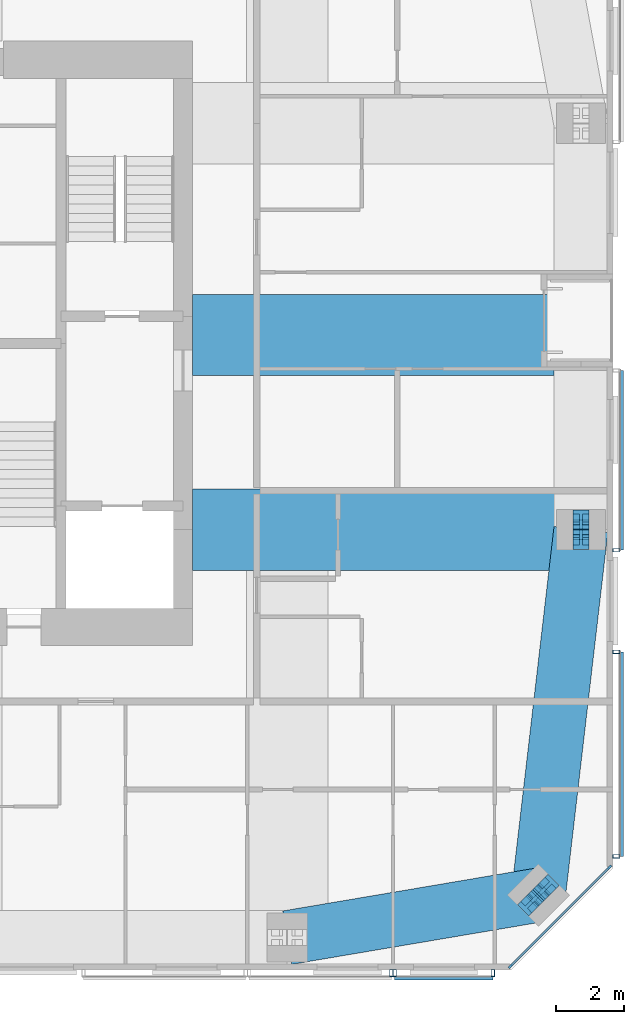
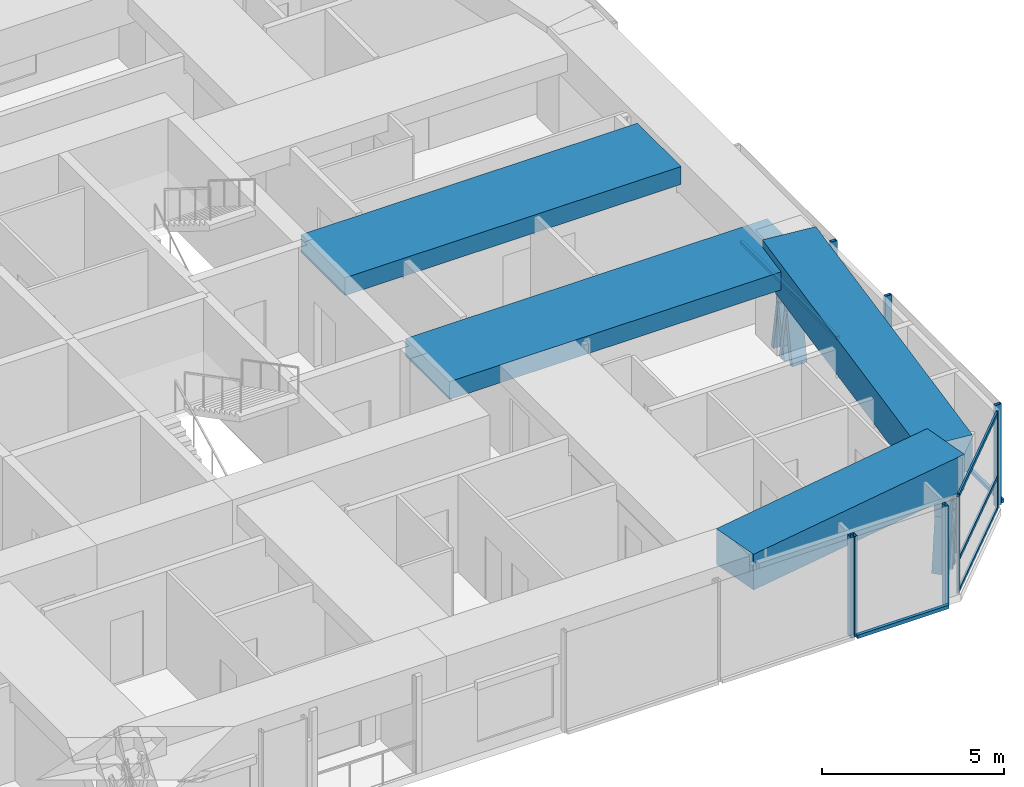
# One storey, part 8 of 20: 22 members, 4 beams, 5 elements without a shape of their own.
"""IFC4 building model written with IfcOpenShell, lengths in metres."""

from ifc_helpers import new_model, si_unit, direction, frame, origin, origin_2d, place, context, subcontext, project, spatial, rectangle, hollow_rectangle, i_section, extrude, material, material_profile, profile_set, type_object, element, aggregate, save


model = new_model("IFC4")

# Units and contexts
model_context = context("Model", 3, precision=1e-05, world=origin(), true_north=direction((0.0, 1.0)))
body_context = subcontext(model_context, "Body", "Model", "MODEL_VIEW")
ifc_project = project(units=[si_unit("LENGTHUNIT", "METRE"), si_unit("AREAUNIT", "SQUARE_METRE"), si_unit("VOLUMEUNIT", "CUBIC_METRE"), si_unit("PLANEANGLEUNIT", "RADIAN"), si_unit("MASSUNIT", "GRAM", prefix="KILO")], contexts=[model_context])

# Site, building, storey
site_placement = place(None, origin())
site = spatial("IfcSite", under=ifc_project, at=site_placement, CompositionType="ELEMENT")
building_placement = place(site_placement, origin())
building = spatial("IfcBuilding", under=site, at=building_placement, Name="Jalousie Tower", CompositionType="ELEMENT")
storey_placement = place(building_placement, frame((0.0, 0.0, 245.949951171875)))
storey = spatial("IfcBuildingStorey", under=building, at=storey_placement, Name="L67", CompositionType="ELEMENT", Elevation=245.949951171875)

# Curtain wall, members
ifc_material_1 = material(Name="Aluminium curtain wall", Category="aluminium")
curtain_wall_type_1 = type_object("IfcCurtainWallType", Name="CORNER WINDOW WALL", PredefinedType="USERDEFINED", material=ifc_material_1)
curtain_wall_1_placement = place(storey_placement, origin())
curtain_wall_1 = element("IfcCurtainWall", 1, at=curtain_wall_1_placement, inside=storey, type_object=curtain_wall_type_1, Name="Corner Window Wall L67 2", ObjectType="CORNER WINDOW WALL", PredefinedType="USERDEFINED")
ifc_material_2 = material(Name="Aluminium mullion", Category="aluminium")
ifc_material_profile_1 = material_profile(ifc_material_2, rectangle(XDim=0.06005859375, YDim=0.14990234375, at=origin_2d()), Name="MULLION 60x150")
ifc_profile_set_1 = profile_set([ifc_material_profile_1], Name="Aluminium mullion")
member_type_1 = type_object("IfcMemberType", Name="CORNER WINDOW WALL MULLION", PredefinedType="MULLION", material=ifc_profile_set_1)
member_1_placement = place(storey_placement, frame((53.469970703125, 0.108642578125, 0.0), z_axis=(0.0, 0.0, 1.0), x_axis=(-0.707106781187, 0.707106781187, 0.0)))
member_1 = element("IfcMember", 2, at=member_1_placement, type_object=member_type_1, Name="CW-C mullion 1", PredefinedType="MULLION", context=body_context, shape_type="SweptSolid", body=[
    extrude(rectangle(XDim=0.06005859375, YDim=0.14990234375, at=origin_2d()), origin(), (0.0, 0.0, 1.0), 3.260009765625),
])
member_2_placement = place(storey_placement, frame((56.391357421875, 3.030029296875, 0.0), z_axis=(0.0, 0.0, 1.0), x_axis=(-0.707106781187, 0.707106781187, 0.0)))
member_2 = element("IfcMember", 3, at=member_2_placement, type_object=member_type_1, Name="CW-C mullion 2", PredefinedType="MULLION", context=body_context, shape_type="SweptSolid", body=[
    extrude(rectangle(XDim=0.06005859375, YDim=0.14990234375, at=origin_2d()), origin(), (0.0, 0.0, 1.0), 3.260009765625),
])
ifc_material_3 = material(Name="Aluminium transom", Category="aluminium")
ifc_material_profile_2 = material_profile(ifc_material_3, rectangle(XDim=0.06005859375, YDim=0.1201171875, at=origin_2d()), Name="TRANSOM 60x120")
ifc_profile_set_2 = profile_set([ifc_material_profile_2], Name="Aluminium transom")
member_type_2 = type_object("IfcMemberType", Name="CORNER WINDOW WALL TRANSOM", PredefinedType="USERDEFINED", material=ifc_profile_set_2)
member_3_placement = place(storey_placement, frame((53.4912109375, 0.1298828125, 0.030029296875), z_axis=(0.707106781187, 0.707106781187, 0.0), x_axis=(-0.707106781187, 0.707106781187, 0.0)))
member_3 = element("IfcMember", 4, at=member_3_placement, type_object=member_type_2, Name="CW-C transom 1.1", ObjectType="TRANSOM", PredefinedType="USERDEFINED", context=body_context, shape_type="SweptSolid", body=[
    extrude(rectangle(XDim=0.06005859375, YDim=0.1201171875, at=origin_2d()), origin(), (0.0, 0.0, 1.0), 4.0712890625),
])
member_4_placement = place(storey_placement, frame((53.4912109375, 0.1298828125, 1.10009765625), z_axis=(0.707106781187, 0.707106781187, 0.0), x_axis=(-0.707106781187, 0.707106781187, 0.0)))
member_4 = element("IfcMember", 5, at=member_4_placement, type_object=member_type_2, Name="CW-C transom 1.2", ObjectType="TRANSOM", PredefinedType="USERDEFINED", context=body_context, shape_type="SweptSolid", body=[
    extrude(rectangle(XDim=0.06005859375, YDim=0.1201171875, at=origin_2d()), origin(), (0.0, 0.0, 1.0), 4.0712890625),
])
member_5_placement = place(storey_placement, frame((53.4912109375, 0.1298828125, 3.22998046875), z_axis=(0.707106781187, 0.707106781187, 0.0), x_axis=(-0.707106781187, 0.707106781187, 0.0)))
member_5 = element("IfcMember", 6, at=member_5_placement, type_object=member_type_2, Name="CW-C transom 1.3", ObjectType="TRANSOM", PredefinedType="USERDEFINED", context=body_context, shape_type="SweptSolid", body=[
    extrude(rectangle(XDim=0.06005859375, YDim=0.1201171875, at=origin_2d()), origin(), (0.0, 0.0, 1.0), 4.0712890625),
])
aggregate(curtain_wall_1, [member_1, member_2, member_3, member_4, member_5])

# Members
ifc_material_4 = material(Name="Steel ASTM A992 Grade 50", Category="steel")
ifc_material_profile_3 = material_profile(ifc_material_4, i_section(OverallWidth=0.472412109375, OverallDepth=0.5791015625, WebThickness=0.094970703125, FlangeThickness=0.1298828125, at=origin_2d()), Name="W14X808")
ifc_profile_set_3 = profile_set([ifc_material_profile_3], Name="Steel ASTM A992 Grade 50")
member_type_3 = type_object("IfcMemberType", Name="PERIMETER BRACE W14X808", PredefinedType="BRACE", material=ifc_profile_set_3)
for number, where, z_axis, x_axis, name in (
    (7, (54.04541015625, 1.959716796875, -0.599853515625), (0.138716051522, 0.138579250682, 0.980588419435), (-0.706757851183, 0.707455539091, 0.0), "Perimeter brace 05 L67 part 1"),
    (8, (54.29296875, 2.20703125, 1.150146484375), (0.138579250682, 0.138716051522, 0.980588419435), (-0.707455539091, 0.706757851183, 0.0), "Perimeter brace 05 L67 part 2"),
    (9, (54.540283203125, 2.45458984375, -0.599853515625), (-0.138579250682, -0.138716051522, 0.980588419435), (0.707455539091, -0.706757851183, 0.0), "Perimeter brace 05 L67 part 3"),
    (10, (54.29296875, 2.20703125, 1.150146484375), (-0.138716051522, -0.138579250682, 0.980588419435), (0.706757851183, -0.707455539091, 0.0), "Perimeter brace 05 L67 part 4"),
):
    element("IfcMember", number, at=place(storey_placement, frame(where, z_axis=z_axis, x_axis=x_axis)), inside=storey, type_object=member_type_3, Name=name, PredefinedType="BRACE", context=body_context, shape_type="SweptSolid", body=[
        extrude(i_section(OverallWidth=0.472412109375, OverallDepth=0.5791015625, WebThickness=0.094970703125, FlangeThickness=0.1298828125, at=origin_2d()), origin(), (0.0, 0.0, 1.0), 1.78466796875),
    ])
for number, where, z_axis, x_axis, name in (
    (11, (55.550048828125, 12.699951171875, -0.599853515625), (0.0, 0.168990530437, 0.98561767467), (-1.0, 0.0, 0.0), "Perimeter brace 06 L67 part 1"),
    (12, (55.550048828125, 13.0, 1.150146484375), (0.0, 0.168990530437, 0.98561767467), (-1.0, 0.0, 0.0), "Perimeter brace 06 L67 part 2"),
    (13, (55.550048828125, 13.300048828125, -0.599853515625), (0.0, -0.168990530437, 0.98561767467), (1.0, 0.0, 0.0), "Perimeter brace 06 L67 part 3"),
    (14, (55.550048828125, 13.0, 1.150146484375), (0.0, -0.168990530437, 0.98561767467), (1.0, 0.0, 0.0), "Perimeter brace 06 L67 part 4"),
):
    element("IfcMember", number, at=place(storey_placement, frame(where, z_axis=z_axis, x_axis=x_axis)), inside=storey, type_object=member_type_3, Name=name, PredefinedType="BRACE", context=body_context, shape_type="SweptSolid", body=[
        extrude(i_section(OverallWidth=0.472412109375, OverallDepth=0.5791015625, WebThickness=0.094970703125, FlangeThickness=0.1298828125, at=origin_2d()), origin(), (0.0, 0.0, 1.0), 1.775634765625),
    ])

# Beams
ifc_material_5 = material(Name="Concrete f'c 40 MPa", Category="concrete")
ifc_material_profile_4 = material_profile(ifc_material_5, rectangle(XDim=1.60009765625, YDim=1.199951171875, at=origin_2d()), Name="RC 1600x1200")
ifc_profile_set_4 = profile_set([ifc_material_profile_4], Name="Concrete f'c 40 MPa")
beam_type_1 = type_object("IfcBeamType", Name="RC BEAM 1600x1200", PredefinedType="BEAM", material=ifc_profile_set_4)
beam_1_placement = place(storey_placement, frame((46.875, 0.949951171875, 2.900146484375), z_axis=(0.985942997446, 0.167082033105, 0.0), x_axis=(-0.167082033105, 0.985942997446, 0.0)))
element("IfcBeam", 15, at=beam_1_placement, inside=storey, type_object=beam_type_1, Name="Edge band beam 04-05 under L68", PredefinedType="BEAM", context=body_context, shape_type="SweptSolid", body=[
    extrude(rectangle(XDim=1.60009765625, YDim=1.199951171875, at=origin_2d()), origin(), (0.0, 0.0, 1.0), 7.523681640625),
])
beam_2_placement = place(storey_placement, frame((54.29296875, 2.20703125, 2.900146484375), z_axis=(0.115690063472, 0.993285361421, 0.0), x_axis=(-0.993285361421, 0.115690063472, 0.0)))
element("IfcBeam", 16, at=beam_2_placement, inside=storey, type_object=beam_type_1, Name="Edge band beam 05-06 under L68", PredefinedType="BEAM", context=body_context, shape_type="SweptSolid", body=[
    extrude(rectangle(XDim=1.60009765625, YDim=1.199951171875, at=origin_2d()), origin(), (0.0, 0.0, 1.0), 10.865966796875),
])
ifc_material_6 = material(Name="Concrete f'c 40 MPa", Category="concrete")
ifc_material_profile_5 = material_profile(ifc_material_6, rectangle(XDim=2.39990234375, YDim=0.60009765625, at=origin_2d()), Name="RC 2400x600")
ifc_profile_set_5 = profile_set([ifc_material_profile_5], Name="Concrete f'c 40 MPa")
beam_type_2 = type_object("IfcBeamType", Name="RC BEAM 2400x600", PredefinedType="BEAM", material=ifc_profile_set_5)
beam_3_placement = place(storey_placement, frame((55.550048828125, 13.0, 2.9599609375), z_axis=(-1.0, 0.0, 0.0), x_axis=(0.0, -1.0, 0.0)))
element("IfcBeam", 17, at=beam_3_placement, inside=storey, type_object=beam_type_2, Name="Floor band beam under L68", PredefinedType="BEAM", context=body_context, shape_type="SweptSolid", body=[
    extrude(rectangle(XDim=2.39990234375, YDim=0.60009765625, at=origin_2d()), origin(), (0.0, 0.0, 1.0), 11.47509765625),
])
beam_4_placement = place(storey_placement, frame((44.074951171875, 18.75, 2.9599609375), z_axis=(1.0, 0.0, 0.0), x_axis=(0.0, 1.0, 0.0)))
element("IfcBeam", 18, at=beam_4_placement, inside=storey, type_object=beam_type_2, Name="Floor band beam under L68", PredefinedType="BEAM", context=body_context, shape_type="SweptSolid", body=[
    extrude(rectangle(XDim=2.39990234375, YDim=0.60009765625, at=origin_2d()), origin(), (0.0, 0.0, 1.0), 10.675048828125),
])

# Curtain wall, member
ifc_material_7 = material(Name="Perforated aluminium sheet", Category="aluminium")
curtain_wall_type_2 = type_object("IfcCurtainWallType", Name="SOLAR SCREEN SS-2", PredefinedType="USERDEFINED", material=ifc_material_7)
curtain_wall_2_placement = place(storey_placement, origin())
curtain_wall_2 = element("IfcCurtainWall", 19, at=curtain_wall_2_placement, inside=storey, type_object=curtain_wall_type_2, Name="Solar screen L67", ObjectType="SOLAR SCREEN SS-2", PredefinedType="USERDEFINED")
ifc_material_8 = material(Name="Steel ASTM A500 Grade C", Category="steel")
ifc_material_profile_6 = material_profile(ifc_material_8, hollow_rectangle(XDim=0.1015625, YDim=0.203125, WallThickness=0.0078125, at=origin_2d()), Name="HSS8X4X5/16")
ifc_profile_set_6 = profile_set([ifc_material_profile_6], Name="Steel ASTM A500 Grade C")
member_type_4 = type_object("IfcMemberType", Name="SOLAR SCREEN SS-2 MULLION", PredefinedType="MULLION", material=ifc_profile_set_6)
member_6_placement = place(storey_placement, frame((49.949951171875, -0.0966796875, -0.119873046875), z_axis=(0.0, 0.0, 1.0), x_axis=(1.0, 0.0, 0.0)))
member_6 = element("IfcMember", 20, at=member_6_placement, type_object=member_type_4, Name="SS2 post 2", PredefinedType="MULLION", context=body_context, shape_type="SweptSolid", body=[
    extrude(hollow_rectangle(XDim=0.1015625, YDim=0.203125, WallThickness=0.0078125, at=origin_2d()), origin(), (0.0, 0.0, 1.0), 3.3798828125),
])
aggregate(curtain_wall_2, [member_6])

# Curtain wall, members
curtain_wall_3_placement = place(storey_placement, origin())
curtain_wall_3 = element("IfcCurtainWall", 21, at=curtain_wall_3_placement, inside=storey, type_object=curtain_wall_type_2, Name="Solar screen L67", ObjectType="SOLAR SCREEN SS-2", PredefinedType="USERDEFINED")
member_7_placement = place(storey_placement, frame((50.050048828125, -0.0966796875, -0.119873046875), z_axis=(0.0, 0.0, 1.0), x_axis=(1.0, 0.0, 0.0)))
member_7 = element("IfcMember", 22, at=member_7_placement, type_object=member_type_4, Name="SS2 post 1", PredefinedType="MULLION", context=body_context, shape_type="SweptSolid", body=[
    extrude(hollow_rectangle(XDim=0.1015625, YDim=0.203125, WallThickness=0.0078125, at=origin_2d()), origin(), (0.0, 0.0, 1.0), 3.3798828125),
])
member_8_placement = place(storey_placement, frame((52.949951171875, -0.0966796875, -0.119873046875), z_axis=(0.0, 0.0, 1.0), x_axis=(1.0, 0.0, 0.0)))
member_8 = element("IfcMember", 23, at=member_8_placement, type_object=member_type_4, Name="SS2 post 2", PredefinedType="MULLION", context=body_context, shape_type="SweptSolid", body=[
    extrude(hollow_rectangle(XDim=0.1015625, YDim=0.203125, WallThickness=0.0078125, at=origin_2d()), origin(), (0.0, 0.0, 1.0), 3.3798828125),
])

curtain_wall_4_placement = place(storey_placement, origin())
curtain_wall_4 = element("IfcCurtainWall", 24, at=curtain_wall_4_placement, inside=storey, type_object=curtain_wall_type_2, Name="Solar screen L67", ObjectType="SOLAR SCREEN SS-2", PredefinedType="USERDEFINED")
member_9_placement = place(storey_placement, frame((56.5966796875, 3.351318359375, -0.119873046875), z_axis=(0.0, 0.0, 1.0), x_axis=(0.0, 1.0, 0.0)))
member_9 = element("IfcMember", 25, at=member_9_placement, type_object=member_type_4, Name="SS2 post 1", PredefinedType="MULLION", context=body_context, shape_type="SweptSolid", body=[
    extrude(hollow_rectangle(XDim=0.1015625, YDim=0.203125, WallThickness=0.0078125, at=origin_2d()), origin(), (0.0, 0.0, 1.0), 3.3798828125),
])
member_10_placement = place(storey_placement, frame((56.5966796875, 9.391357421875, -0.119873046875), z_axis=(0.0, 0.0, 1.0), x_axis=(0.0, 1.0, 0.0)))
member_10 = element("IfcMember", 26, at=member_10_placement, type_object=member_type_4, Name="SS2 post 2", PredefinedType="MULLION", context=body_context, shape_type="SweptSolid", body=[
    extrude(hollow_rectangle(XDim=0.1015625, YDim=0.203125, WallThickness=0.0078125, at=origin_2d()), origin(), (0.0, 0.0, 1.0), 3.3798828125),
])

# Curtain wall, member
curtain_wall_5_placement = place(storey_placement, origin())
curtain_wall_5 = element("IfcCurtainWall", 27, at=curtain_wall_5_placement, inside=storey, type_object=curtain_wall_type_2, Name="Solar screen L67", ObjectType="SOLAR SCREEN SS-2", PredefinedType="USERDEFINED")
member_11_placement = place(storey_placement, frame((56.5966796875, 12.391357421875, -0.119873046875), z_axis=(0.0, 0.0, 1.0), x_axis=(0.0, 1.0, 0.0)))
member_11 = element("IfcMember", 28, at=member_11_placement, type_object=member_type_4, Name="SS2 post 1", PredefinedType="MULLION", context=body_context, shape_type="SweptSolid", body=[
    extrude(hollow_rectangle(XDim=0.1015625, YDim=0.203125, WallThickness=0.0078125, at=origin_2d()), origin(), (0.0, 0.0, 1.0), 3.3798828125),
])

# Member
ifc_material_9 = material(Name="Extruded aluminium screen rail", Category="aluminium")
ifc_material_profile_7 = material_profile(ifc_material_9, rectangle(XDim=0.1015625, YDim=0.1201171875, at=origin_2d()), Name="RAIL 102x120")
ifc_profile_set_7 = profile_set([ifc_material_profile_7], Name="Extruded aluminium screen rail")
member_type_5 = type_object("IfcMemberType", Name="SOLAR SCREEN SS-2 TRANSOM", PredefinedType="USERDEFINED", material=ifc_profile_set_7)
member_12_placement = place(storey_placement, frame((50.050048828125, -0.2490234375, -0.06005859375), z_axis=(1.0, 0.0, 0.0), x_axis=(0.0, 1.0, 0.0)))
member_12 = element("IfcMember", 29, at=member_12_placement, type_object=member_type_5, Name="SS2 rail", ObjectType="TRANSOM", PredefinedType="USERDEFINED", context=body_context, shape_type="SweptSolid", body=[
    extrude(rectangle(XDim=0.1015625, YDim=0.1201171875, at=origin_2d()), origin(), (0.0, 0.0, 1.0), 2.89990234375),
])

aggregate(curtain_wall_3, [member_7, member_8, member_12])

member_13_placement = place(storey_placement, frame((56.7490234375, 3.351318359375, -0.06005859375), z_axis=(0.0, 1.0, 0.0), x_axis=(-1.0, 0.0, 0.0)))
member_13 = element("IfcMember", 30, at=member_13_placement, type_object=member_type_5, Name="SS2 rail", ObjectType="TRANSOM", PredefinedType="USERDEFINED", context=body_context, shape_type="SweptSolid", body=[
    extrude(rectangle(XDim=0.1015625, YDim=0.1201171875, at=origin_2d()), origin(), (0.0, 0.0, 1.0), 6.0400390625),
])

aggregate(curtain_wall_4, [member_9, member_10, member_13])

member_14_placement = place(storey_placement, frame((56.7490234375, 12.391357421875, -0.06005859375), z_axis=(0.0, 1.0, 0.0), x_axis=(-1.0, 0.0, 0.0)))
member_14 = element("IfcMember", 31, at=member_14_placement, type_object=member_type_5, Name="SS2 rail", ObjectType="TRANSOM", PredefinedType="USERDEFINED", context=body_context, shape_type="SweptSolid", body=[
    extrude(rectangle(XDim=0.1015625, YDim=0.1201171875, at=origin_2d()), origin(), (0.0, 0.0, 1.0), 5.30859375),
])

aggregate(curtain_wall_5, [member_11, member_14])

save(model, "model.ifc")
